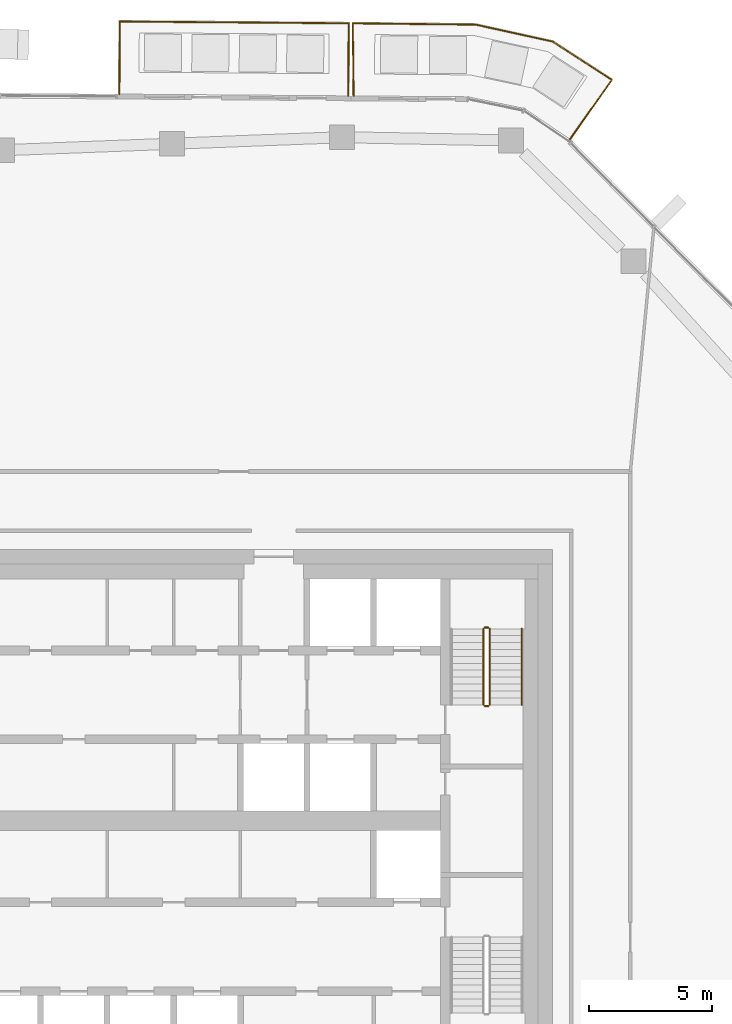
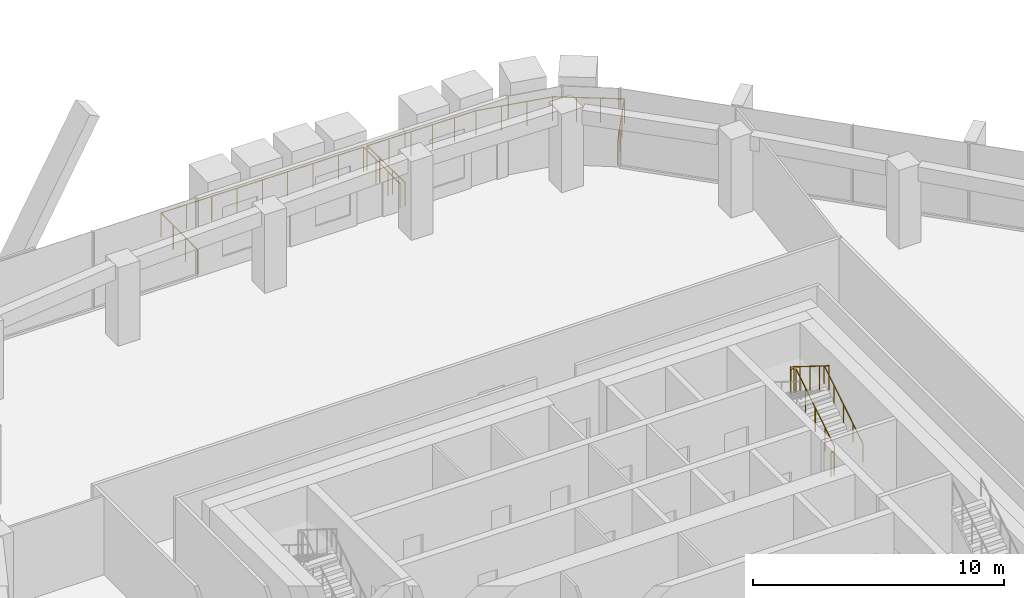
# One storey, part 22 of 23: 7 railings.
"""IFC4 building model written with IfcOpenShell, lengths in metres."""

from ifc_helpers import new_model, si_unit, direction, frame, origin, origin_2d, place, context, subcontext, project, spatial, circle, extrude, material, type_object, element, save


model = new_model("IFC4")

# Units and contexts
model_context = context("Model", 3, precision=1e-05, world=origin(), true_north=direction((0.0, 1.0)))
body_context = subcontext(model_context, "Body", "Model", "MODEL_VIEW")
ifc_project = project(units=[si_unit("LENGTHUNIT", "METRE"), si_unit("AREAUNIT", "SQUARE_METRE"), si_unit("VOLUMEUNIT", "CUBIC_METRE"), si_unit("PLANEANGLEUNIT", "RADIAN"), si_unit("MASSUNIT", "GRAM", prefix="KILO")], contexts=[model_context])

# Site, building, storey
site_placement = place(None, origin())
site = spatial("IfcSite", under=ifc_project, at=site_placement, CompositionType="ELEMENT")
building_placement = place(site_placement, origin())
building = spatial("IfcBuilding", under=site, at=building_placement, Name="Dongbaek Canopy Tower", CompositionType="ELEMENT")
storey_placement = place(building_placement, frame((0.0, 0.0, 319.39990234375)))
storey = spatial("IfcBuildingStorey", under=building, at=storey_placement, Name="L68", CompositionType="ELEMENT", Elevation=319.39990234375)

# Railings
ifc_material_1 = material(Name="Stainless steel", Category="steel")
railing_type_1 = type_object("IfcRailingType", Name="Balcony balustrade 1200", PredefinedType="BALUSTRADE", material=ifc_material_1)
railing_1_placement = place(storey_placement, frame((5.717529296875, 29.3681640625, 0.0)))
element("IfcRailing", 1, at=railing_1_placement, inside=storey, type_object=railing_type_1, Name="Balcony guard L68 1", PredefinedType="BALUSTRADE", context=body_context, shape_type="SweptSolid", body=[
    extrude(circle(Radius=0.02392578125, at=origin_2d()), frame((0.0, 0.0, 1.17578125), z_axis=(0.007722739301, 0.999970179204, 0.0), x_axis=(-0.999970179204, 0.007722739301, 0.0)), (0.0, 0.0, 1.0), 2.93994140625),
    extrude(circle(Radius=0.02392578125, at=origin_2d()), frame((0.022705078125, 2.93994140625, 1.17578125), z_axis=(-0.9999698236, 0.007768647897, 0.0), x_axis=(-0.007768647897, -0.9999698236, 0.0)), (0.0, 0.0, 1.0), 9.270751953125),
    extrude(circle(Radius=0.02392578125, at=origin_2d()), frame((-9.247802734375, 3.011962890625, 1.17578125), z_axis=(-0.007806422703, -0.999969529418, 0.0), x_axis=(0.999969529418, -0.007806422703, 0.0)), (0.0, 0.0, 1.0), 2.939697265625),
    extrude(circle(Radius=0.02099609375, at=origin_2d()), origin(), (0.0, 0.0, 1.0), 1.15185546875),
    extrude(circle(Radius=0.02099609375, at=origin_2d()), frame((0.007568359375, 0.97998046875, 0.0)), (0.0, 0.0, 1.0), 1.15185546875),
    extrude(circle(Radius=0.02099609375, at=origin_2d()), frame((0.01513671875, 1.9599609375, 0.0)), (0.0, 0.0, 1.0), 1.15185546875),
    extrude(circle(Radius=0.02099609375, at=origin_2d()), frame((0.022705078125, 2.93994140625, 0.0)), (0.0, 0.0, 1.0), 1.15185546875),
    extrude(circle(Radius=0.02099609375, at=origin_2d()), frame((-1.13623046875, 2.948974609375, 0.0)), (0.0, 0.0, 1.0), 1.15185546875),
    extrude(circle(Radius=0.02099609375, at=origin_2d()), frame((-2.294921875, 2.9580078125, 0.0)), (0.0, 0.0, 1.0), 1.15185546875),
    extrude(circle(Radius=0.02099609375, at=origin_2d()), frame((-3.45361328125, 2.967041015625, 0.0)), (0.0, 0.0, 1.0), 1.15185546875),
    extrude(circle(Radius=0.02099609375, at=origin_2d()), frame((-4.612548828125, 2.97607421875, 0.0)), (0.0, 0.0, 1.0), 1.15185546875),
    extrude(circle(Radius=0.02099609375, at=origin_2d()), frame((-5.771484375, 2.98486328125, 0.0)), (0.0, 0.0, 1.0), 1.15185546875),
    extrude(circle(Radius=0.02099609375, at=origin_2d()), frame((-6.93017578125, 2.993896484375, 0.0)), (0.0, 0.0, 1.0), 1.15185546875),
    extrude(circle(Radius=0.02099609375, at=origin_2d()), frame((-8.0888671875, 3.0029296875, 0.0)), (0.0, 0.0, 1.0), 1.15185546875),
    extrude(circle(Radius=0.02099609375, at=origin_2d()), frame((-9.247802734375, 3.011962890625, 0.0)), (0.0, 0.0, 1.0), 1.15185546875),
    extrude(circle(Radius=0.02099609375, at=origin_2d()), frame((-9.25537109375, 2.031982421875, 0.0)), (0.0, 0.0, 1.0), 1.15185546875),
    extrude(circle(Radius=0.02099609375, at=origin_2d()), frame((-9.26318359375, 1.05224609375, 0.0)), (0.0, 0.0, 1.0), 1.15185546875),
    extrude(circle(Radius=0.02099609375, at=origin_2d()), frame((-9.270751953125, 0.072265625, 0.0)), (0.0, 0.0, 1.0), 1.15185546875),
])
railing_2_placement = place(storey_placement, frame((14.701171875, 27.611083984375, 0.0)))
element("IfcRailing", 2, at=railing_2_placement, inside=storey, type_object=railing_type_1, Name="Balcony guard L68 5", PredefinedType="BALUSTRADE", context=body_context, shape_type="SweptSolid", body=[
    extrude(circle(Radius=0.02392578125, at=origin_2d()), frame((0.0, 0.0, 1.17578125), z_axis=(0.577422879325, 0.816445232966, 0.0), x_axis=(-0.816445232966, 0.577422879325, 0.0)), (0.0, 0.0, 1.0), 2.940673828125),
    extrude(circle(Radius=0.02392578125, at=origin_2d()), frame((1.697998046875, 2.40087890625, 1.17578125), z_axis=(-0.838900130266, 0.544285376838, 0.0), x_axis=(-0.544285376838, -0.838900130266, 0.0)), (0.0, 0.0, 1.0), 2.857177734375),
    extrude(circle(Radius=0.02392578125, at=origin_2d()), frame((-0.698974609375, 3.9560546875, 1.17578125), z_axis=(-0.976611413959, 0.2150119674, 0.0), x_axis=(-0.2150119674, -0.976611413959, 0.0)), (0.0, 0.0, 1.0), 3.194091796875),
    extrude(circle(Radius=0.02392578125, at=origin_2d()), frame((-3.818359375, 4.642822265625, 1.17578125), z_axis=(-0.999943473544, 0.010632484014, 0.0), x_axis=(-0.010632484014, -0.999943473544, 0.0)), (0.0, 0.0, 1.0), 4.982666015625),
    extrude(circle(Radius=0.02392578125, at=origin_2d()), frame((-8.80078125, 4.69580078125, 1.17578125), z_axis=(0.012619386964, -0.999920372366, 0.0), x_axis=(0.999920372366, 0.012619386964, 0.0)), (0.0, 0.0, 1.0), 2.940673828125),
    extrude(circle(Radius=0.02099609375, at=origin_2d()), origin(), (0.0, 0.0, 1.0), 1.15185546875),
    extrude(circle(Radius=0.02099609375, at=origin_2d()), frame((0.56591796875, 0.80029296875, 0.0)), (0.0, 0.0, 1.0), 1.15185546875),
    extrude(circle(Radius=0.02099609375, at=origin_2d()), frame((1.132080078125, 1.6005859375, 0.0)), (0.0, 0.0, 1.0), 1.15185546875),
    extrude(circle(Radius=0.02099609375, at=origin_2d()), frame((1.697998046875, 2.40087890625, 0.0)), (0.0, 0.0, 1.0), 1.15185546875),
    extrude(circle(Radius=0.02099609375, at=origin_2d()), frame((0.89892578125, 2.919189453125, 0.0)), (0.0, 0.0, 1.0), 1.15185546875),
    extrude(circle(Radius=0.02099609375, at=origin_2d()), frame((0.10009765625, 3.437744140625, 0.0)), (0.0, 0.0, 1.0), 1.15185546875),
    extrude(circle(Radius=0.02099609375, at=origin_2d()), frame((-0.698974609375, 3.9560546875, 0.0)), (0.0, 0.0, 1.0), 1.15185546875),
    extrude(circle(Radius=0.02099609375, at=origin_2d()), frame((-1.73876953125, 4.18505859375, 0.0)), (0.0, 0.0, 1.0), 1.15185546875),
    extrude(circle(Radius=0.02099609375, at=origin_2d()), frame((-2.778564453125, 4.413818359375, 0.0)), (0.0, 0.0, 1.0), 1.15185546875),
    extrude(circle(Radius=0.02099609375, at=origin_2d()), frame((-3.818359375, 4.642822265625, 0.0)), (0.0, 0.0, 1.0), 1.15185546875),
    extrude(circle(Radius=0.02099609375, at=origin_2d()), frame((-4.81494140625, 4.6533203125, 0.0)), (0.0, 0.0, 1.0), 1.15185546875),
    extrude(circle(Radius=0.02099609375, at=origin_2d()), frame((-5.811279296875, 4.6640625, 0.0)), (0.0, 0.0, 1.0), 1.15185546875),
    extrude(circle(Radius=0.02099609375, at=origin_2d()), frame((-6.807861328125, 4.674560546875, 0.0)), (0.0, 0.0, 1.0), 1.15185546875),
    extrude(circle(Radius=0.02099609375, at=origin_2d()), frame((-7.80419921875, 4.685302734375, 0.0)), (0.0, 0.0, 1.0), 1.15185546875),
    extrude(circle(Radius=0.02099609375, at=origin_2d()), frame((-8.80078125, 4.69580078125, 0.0)), (0.0, 0.0, 1.0), 1.15185546875),
    extrude(circle(Radius=0.02099609375, at=origin_2d()), frame((-8.788330078125, 3.715576171875, 0.0)), (0.0, 0.0, 1.0), 1.15185546875),
    extrude(circle(Radius=0.02099609375, at=origin_2d()), frame((-8.776123046875, 2.735595703125, 0.0)), (0.0, 0.0, 1.0), 1.15185546875),
    extrude(circle(Radius=0.02099609375, at=origin_2d()), frame((-8.763671875, 1.75537109375, 0.0)), (0.0, 0.0, 1.0), 1.15185546875),
])
ifc_material_2 = material(Name="Stainless steel tube and balusters", Category="steel")
railing_type_2 = type_object("IfcRailingType", Name="Stair guard 1200", PredefinedType="GUARDRAIL", material=ifc_material_2)
railing_3_placement = place(storey_placement, frame((11.449951171875, 4.699951171875, 0.175048828125)))
element("IfcRailing", 3, at=railing_3_placement, inside=storey, type_object=railing_type_2, Name="L68 ST-A stair guard 1", PredefinedType="GUARDRAIL", context=body_context, shape_type="SweptSolid", body=[
    extrude(circle(Radius=0.02392578125, at=origin_2d()), frame((0.0, 0.0, 1.17578125), z_axis=(0.0, 0.847998304005, 0.529998940003), x_axis=(-1.0, 0.0, 0.0)), (0.0, 0.0, 1.0), 3.632080078125),
    extrude(circle(Radius=0.02099609375, at=origin_2d()), origin(), (0.0, 0.0, 1.0), 1.15185546875),
    extrude(circle(Radius=0.02099609375, at=origin_2d()), frame((0.0, 0.77001953125, 0.481201171875)), (0.0, 0.0, 1.0), 1.15185546875),
    extrude(circle(Radius=0.02099609375, at=origin_2d()), frame((0.0, 1.5400390625, 0.96240234375)), (0.0, 0.0, 1.0), 1.15185546875),
    extrude(circle(Radius=0.02099609375, at=origin_2d()), frame((0.0, 2.31005859375, 1.44384765625)), (0.0, 0.0, 1.0), 1.15185546875),
    extrude(circle(Radius=0.02099609375, at=origin_2d()), frame((0.0, 3.080078125, 1.925048828125)), (0.0, 0.0, 1.0), 1.15185546875),
])
railing_4_placement = place(storey_placement, frame((11.39990234375, 7.830078125, 2.10009765625)))
element("IfcRailing", 4, at=railing_4_placement, inside=storey, type_object=railing_type_2, Name="L68 ST-A stair guard 2", PredefinedType="GUARDRAIL", context=body_context, shape_type="SweptSolid", body=[
    extrude(circle(Radius=0.02392578125, at=origin_2d()), frame((0.0, 0.0, 1.17578125), z_axis=(-1.0, 0.0, 0.0), x_axis=(0.0, -1.0, 0.0)), (0.0, 0.0, 1.0), 0.14990234375),
    extrude(circle(Radius=0.02099609375, at=origin_2d()), origin(), (0.0, 0.0, 1.0), 1.15185546875),
    extrude(circle(Radius=0.02099609375, at=origin_2d()), frame((-0.14990234375, 0.0, 0.0)), (0.0, 0.0, 1.0), 1.15185546875),
])
railing_5_placement = place(storey_placement, frame((11.199951171875, 7.780029296875, 2.275146484375)))
element("IfcRailing", 5, at=railing_5_placement, inside=storey, type_object=railing_type_2, Name="L68 ST-A stair guard 3", PredefinedType="GUARDRAIL", context=body_context, shape_type="SweptSolid", body=[
    extrude(circle(Radius=0.02392578125, at=origin_2d()), frame((0.0, 0.0, 1.17578125), z_axis=(0.0, -0.847998304005, 0.529998940003), x_axis=(1.0, 0.0, 0.0)), (0.0, 0.0, 1.0), 3.632080078125),
    extrude(circle(Radius=0.02099609375, at=origin_2d()), origin(), (0.0, 0.0, 1.0), 1.15185546875),
    extrude(circle(Radius=0.02099609375, at=origin_2d()), frame((0.0, -0.77001953125, 0.481201171875)), (0.0, 0.0, 1.0), 1.15185546875),
    extrude(circle(Radius=0.02099609375, at=origin_2d()), frame((0.0, -1.5400390625, 0.96240234375)), (0.0, 0.0, 1.0), 1.15185546875),
    extrude(circle(Radius=0.02099609375, at=origin_2d()), frame((0.0, -2.31005859375, 1.44384765625)), (0.0, 0.0, 1.0), 1.15185546875),
    extrude(circle(Radius=0.02099609375, at=origin_2d()), frame((0.0, -3.080078125, 1.925048828125)), (0.0, 0.0, 1.0), 1.15185546875),
])
railing_6_placement = place(storey_placement, frame((11.39990234375, 4.64990234375, 0.0)))
element("IfcRailing", 6, at=railing_6_placement, inside=storey, type_object=railing_type_2, Name="L68 ST-A stair guard 4", PredefinedType="GUARDRAIL", context=body_context, shape_type="SweptSolid", body=[
    extrude(circle(Radius=0.02392578125, at=origin_2d()), frame((0.0, 0.0, 1.17578125), z_axis=(-1.0, 0.0, 0.0), x_axis=(0.0, -1.0, 0.0)), (0.0, 0.0, 1.0), 0.14990234375),
    extrude(circle(Radius=0.02099609375, at=origin_2d()), origin(), (0.0, 0.0, 1.0), 1.15185546875),
    extrude(circle(Radius=0.02099609375, at=origin_2d()), frame((-0.14990234375, 0.0, 0.0)), (0.0, 0.0, 1.0), 1.15185546875),
])
ifc_material_3 = material(Name="Stainless steel tube", Category="steel")
railing_type_3 = type_object("IfcRailingType", Name="Stair handrail 900", PredefinedType="HANDRAIL", material=ifc_material_3)
railing_7_placement = place(storey_placement, frame((12.75, 4.699951171875, 0.175048828125)))
element("IfcRailing", 7, at=railing_7_placement, inside=storey, type_object=railing_type_3, Name="L68 ST-A stair handrail 1", PredefinedType="HANDRAIL", context=body_context, shape_type="SweptSolid", body=[
    extrude(circle(Radius=0.02392578125, at=origin_2d()), frame((0.0, 0.0, 0.8759765625), z_axis=(0.0, 0.847998304005, 0.529998940003), x_axis=(-1.0, 0.0, 0.0)), (0.0, 0.0, 1.0), 3.632080078125),
    extrude(circle(Radius=0.02099609375, at=origin_2d()), origin(), (0.0, 0.0, 1.0), 0.851806640625),
    extrude(circle(Radius=0.02099609375, at=origin_2d()), frame((0.0, 0.77001953125, 0.481201171875)), (0.0, 0.0, 1.0), 0.851806640625),
    extrude(circle(Radius=0.02099609375, at=origin_2d()), frame((0.0, 1.5400390625, 0.96240234375)), (0.0, 0.0, 1.0), 0.851806640625),
    extrude(circle(Radius=0.02099609375, at=origin_2d()), frame((0.0, 2.31005859375, 1.44384765625)), (0.0, 0.0, 1.0), 0.851806640625),
    extrude(circle(Radius=0.02099609375, at=origin_2d()), frame((0.0, 3.080078125, 1.925048828125)), (0.0, 0.0, 1.0), 0.851806640625),
])

save(model, "model.ifc")
